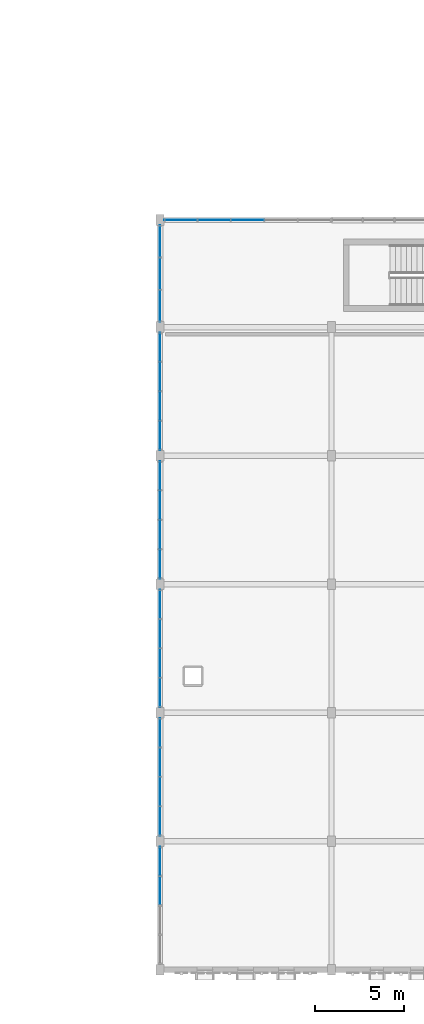
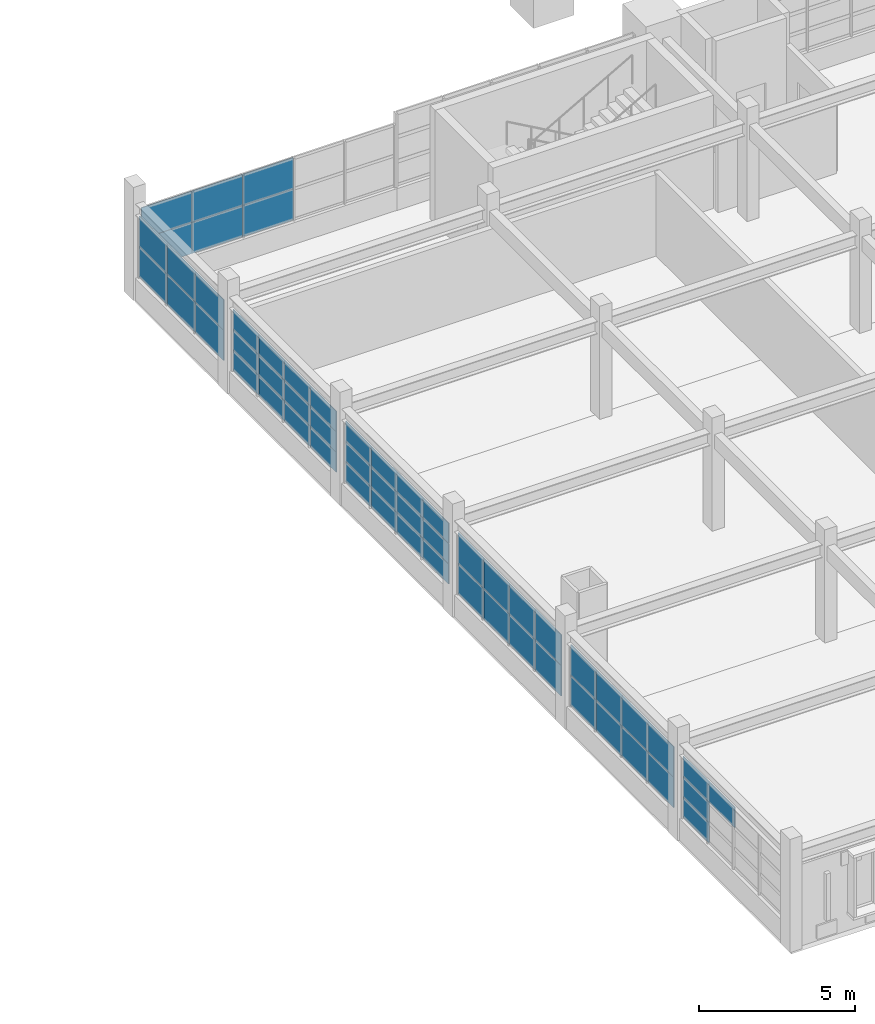
# One storey, part 35 of 69: 56 plates, 7 elements without a shape of their own.
"""IFC4 building model written with IfcOpenShell, lengths in metres."""

from ifc_helpers import new_model, si_unit, direction, frame, origin, origin_2d, place, context, subcontext, project, spatial, rectangle, extrude, material, layer, layer_set, type_object, element, aggregate, save


model = new_model("IFC4")

# Units and contexts
model_context = context("Model", 3, precision=1e-05, world=origin(), true_north=direction((0.0, 1.0)))
body_context = subcontext(model_context, "Body", "Model", "MODEL_VIEW")
ifc_project = project(units=[si_unit("LENGTHUNIT", "METRE"), si_unit("AREAUNIT", "SQUARE_METRE"), si_unit("VOLUMEUNIT", "CUBIC_METRE"), si_unit("PLANEANGLEUNIT", "RADIAN"), si_unit("MASSUNIT", "GRAM", prefix="KILO")], contexts=[model_context])

# Site, building, storey
site_placement = place(None, origin())
site = spatial("IfcSite", under=ifc_project, at=site_placement, CompositionType="ELEMENT")
building_placement = place(site_placement, origin())
building = spatial("IfcBuilding", under=site, at=building_placement, Name="Nzembalo Square Collegiate School", CompositionType="ELEMENT")
storey_placement = place(building_placement, frame((0.0, 0.0, 5.10009765625)))
storey = spatial("IfcBuildingStorey", under=building, at=storey_placement, Name="L01", CompositionType="ELEMENT", Elevation=5.10009765625)

# Curtain wall, plates
ifc_material_1 = material(Name="Aluminium 6060-T66", Category="aluminium")
curtain_wall_type_1 = type_object("IfcCurtainWallType", Name="CW-01", PredefinedType="USERDEFINED", material=ifc_material_1)
curtain_wall_1_placement = place(storey_placement, origin())
curtain_wall_1 = element("IfcCurtainWall", 1, at=curtain_wall_1_placement, inside=storey, type_object=curtain_wall_type_1, Name="Curtain wall CW-01 cw:L01:056", ObjectType="UNITISED", PredefinedType="USERDEFINED")
ifc_material_2 = material(Name="Laminated solar-control double glazing", Category="glass")
ifc_layer_1 = layer(ifc_material_2, 0.028076171875, Name="Laminated solar-control double glazing")
ifc_layer_set_1 = layer_set([ifc_layer_1], Name="Laminated solar-control double glazing")
plate_type_1 = type_object("IfcPlateType", Name="PN01", PredefinedType="CURTAIN_PANEL", material=ifc_layer_set_1)
plate_1_placement = place(storey_placement, frame((130.800048828125, 31.12646484375, 0.85400390625), z_axis=(0.0, 0.0, 1.0), x_axis=(0.0, 1.0, 0.0)))
plate_1 = element("IfcPlate", 2, at=plate_1_placement, type_object=plate_type_1, Name="PN01 glazed panel 1-1", PredefinedType="CURTAIN_PANEL", context=body_context, shape_type="SweptSolid", body=[
    extrude(rectangle(XDim=1.64111328125, YDim=0.028076171875, at=origin_2d()), origin(), (0.0, 0.0, 1.0), 0.7900390625),
])
plate_2_placement = place(storey_placement, frame((130.800048828125, 32.775390625, 0.85400390625), z_axis=(0.0, 0.0, 1.0), x_axis=(0.0, 1.0, 0.0)))
plate_2 = element("IfcPlate", 3, at=plate_2_placement, type_object=plate_type_1, Name="PN01 glazed panel 1-2", PredefinedType="CURTAIN_PANEL", context=body_context, shape_type="SweptSolid", body=[
    extrude(rectangle(XDim=1.64111328125, YDim=0.028076171875, at=origin_2d()), origin(), (0.0, 0.0, 1.0), 0.7900390625),
])
plate_3_placement = place(storey_placement, frame((130.800048828125, 34.424560546875, 0.85400390625), z_axis=(0.0, 0.0, 1.0), x_axis=(0.0, 1.0, 0.0)))
plate_3 = element("IfcPlate", 4, at=plate_3_placement, type_object=plate_type_1, Name="PN01 glazed panel 1-3", PredefinedType="CURTAIN_PANEL", context=body_context, shape_type="SweptSolid", body=[
    extrude(rectangle(XDim=1.64111328125, YDim=0.028076171875, at=origin_2d()), origin(), (0.0, 0.0, 1.0), 0.7900390625),
])
plate_4_placement = place(storey_placement, frame((130.800048828125, 36.073486328125, 0.85400390625), z_axis=(0.0, 0.0, 1.0), x_axis=(0.0, 1.0, 0.0)))
plate_4 = element("IfcPlate", 5, at=plate_4_placement, type_object=plate_type_1, Name="PN01 glazed panel 1-4", PredefinedType="CURTAIN_PANEL", context=body_context, shape_type="SweptSolid", body=[
    extrude(rectangle(XDim=1.64111328125, YDim=0.028076171875, at=origin_2d()), origin(), (0.0, 0.0, 1.0), 0.7900390625),
])
plate_5_placement = place(storey_placement, frame((130.800048828125, 31.12646484375, 1.65185546875), z_axis=(0.0, 0.0, 1.0), x_axis=(0.0, 1.0, 0.0)))
plate_5 = element("IfcPlate", 6, at=plate_5_placement, type_object=plate_type_1, Name="PN01 glazed panel 2-1", PredefinedType="CURTAIN_PANEL", context=body_context, shape_type="SweptSolid", body=[
    extrude(rectangle(XDim=1.64111328125, YDim=0.028076171875, at=origin_2d()), origin(), (0.0, 0.0, 1.0), 0.7900390625),
])
plate_6_placement = place(storey_placement, frame((130.800048828125, 32.775390625, 1.65185546875), z_axis=(0.0, 0.0, 1.0), x_axis=(0.0, 1.0, 0.0)))
plate_6 = element("IfcPlate", 7, at=plate_6_placement, type_object=plate_type_1, Name="PN01 glazed panel 2-2", PredefinedType="CURTAIN_PANEL", context=body_context, shape_type="SweptSolid", body=[
    extrude(rectangle(XDim=1.64111328125, YDim=0.028076171875, at=origin_2d()), origin(), (0.0, 0.0, 1.0), 0.7900390625),
])
plate_7_placement = place(storey_placement, frame((130.800048828125, 34.424560546875, 1.65185546875), z_axis=(0.0, 0.0, 1.0), x_axis=(0.0, 1.0, 0.0)))
plate_7 = element("IfcPlate", 8, at=plate_7_placement, type_object=plate_type_1, Name="PN01 glazed panel 2-3", PredefinedType="CURTAIN_PANEL", context=body_context, shape_type="SweptSolid", body=[
    extrude(rectangle(XDim=1.64111328125, YDim=0.028076171875, at=origin_2d()), origin(), (0.0, 0.0, 1.0), 0.7900390625),
])
plate_8_placement = place(storey_placement, frame((130.800048828125, 36.073486328125, 1.65185546875), z_axis=(0.0, 0.0, 1.0), x_axis=(0.0, 1.0, 0.0)))
plate_8 = element("IfcPlate", 9, at=plate_8_placement, type_object=plate_type_1, Name="PN01 glazed panel 2-4", PredefinedType="CURTAIN_PANEL", context=body_context, shape_type="SweptSolid", body=[
    extrude(rectangle(XDim=1.64111328125, YDim=0.028076171875, at=origin_2d()), origin(), (0.0, 0.0, 1.0), 0.7900390625),
])
plate_9_placement = place(storey_placement, frame((130.800048828125, 31.12646484375, 2.449951171875), z_axis=(0.0, 0.0, 1.0), x_axis=(0.0, 1.0, 0.0)))
plate_9 = element("IfcPlate", 10, at=plate_9_placement, type_object=plate_type_1, Name="PN01 glazed panel 3-1", PredefinedType="CURTAIN_PANEL", context=body_context, shape_type="SweptSolid", body=[
    extrude(rectangle(XDim=1.64111328125, YDim=0.028076171875, at=origin_2d()), origin(), (0.0, 0.0, 1.0), 0.7900390625),
])
plate_10_placement = place(storey_placement, frame((130.800048828125, 32.775390625, 2.449951171875), z_axis=(0.0, 0.0, 1.0), x_axis=(0.0, 1.0, 0.0)))
plate_10 = element("IfcPlate", 11, at=plate_10_placement, type_object=plate_type_1, Name="PN01 glazed panel 3-2", PredefinedType="CURTAIN_PANEL", context=body_context, shape_type="SweptSolid", body=[
    extrude(rectangle(XDim=1.64111328125, YDim=0.028076171875, at=origin_2d()), origin(), (0.0, 0.0, 1.0), 0.7900390625),
])
plate_11_placement = place(storey_placement, frame((130.800048828125, 34.424560546875, 2.449951171875), z_axis=(0.0, 0.0, 1.0), x_axis=(0.0, 1.0, 0.0)))
plate_11 = element("IfcPlate", 12, at=plate_11_placement, type_object=plate_type_1, Name="PN01 glazed panel 3-3", PredefinedType="CURTAIN_PANEL", context=body_context, shape_type="SweptSolid", body=[
    extrude(rectangle(XDim=1.64111328125, YDim=0.028076171875, at=origin_2d()), origin(), (0.0, 0.0, 1.0), 0.7900390625),
])
plate_12_placement = place(storey_placement, frame((130.800048828125, 36.073486328125, 2.449951171875), z_axis=(0.0, 0.0, 1.0), x_axis=(0.0, 1.0, 0.0)))
plate_12 = element("IfcPlate", 13, at=plate_12_placement, type_object=plate_type_1, Name="PN01 glazed panel 3-4", PredefinedType="CURTAIN_PANEL", context=body_context, shape_type="SweptSolid", body=[
    extrude(rectangle(XDim=1.64111328125, YDim=0.028076171875, at=origin_2d()), origin(), (0.0, 0.0, 1.0), 0.7900390625),
])
aggregate(curtain_wall_1, [plate_1, plate_2, plate_3, plate_4, plate_5, plate_6, plate_7, plate_8, plate_9, plate_10, plate_11, plate_12])

ifc_material_3 = material(Name="Aluminium 6060-T66", Category="aluminium")
curtain_wall_type_2 = type_object("IfcCurtainWallType", Name="CW-02", PredefinedType="USERDEFINED", material=ifc_material_3)
curtain_wall_2_placement = place(storey_placement, origin())
curtain_wall_2 = element("IfcCurtainWall", 14, at=curtain_wall_2_placement, inside=storey, type_object=curtain_wall_type_2, Name="Curtain wall CW-02 cw:L01:057", ObjectType="UNITISED", PredefinedType="USERDEFINED")
plate_13_placement = place(storey_placement, frame((130.800048828125, 38.326416015625, 0.85400390625), z_axis=(0.0, 0.0, 1.0), x_axis=(0.0, 1.0, 0.0)))
plate_13 = element("IfcPlate", 15, at=plate_13_placement, type_object=plate_type_1, Name="PN01 glazed panel 1-1", PredefinedType="CURTAIN_PANEL", context=body_context, shape_type="SweptSolid", body=[
    extrude(rectangle(XDim=1.64111328125, YDim=0.028076171875, at=origin_2d()), origin(), (0.0, 0.0, 1.0), 0.7900390625),
])
plate_14_placement = place(storey_placement, frame((130.800048828125, 39.9755859375, 0.85400390625), z_axis=(0.0, 0.0, 1.0), x_axis=(0.0, 1.0, 0.0)))
plate_14 = element("IfcPlate", 16, at=plate_14_placement, type_object=plate_type_1, Name="PN01 glazed panel 1-2", PredefinedType="CURTAIN_PANEL", context=body_context, shape_type="SweptSolid", body=[
    extrude(rectangle(XDim=1.64111328125, YDim=0.028076171875, at=origin_2d()), origin(), (0.0, 0.0, 1.0), 0.7900390625),
])
plate_15_placement = place(storey_placement, frame((130.800048828125, 41.62451171875, 0.85400390625), z_axis=(0.0, 0.0, 1.0), x_axis=(0.0, 1.0, 0.0)))
plate_15 = element("IfcPlate", 17, at=plate_15_placement, type_object=plate_type_1, Name="PN01 glazed panel 1-3", PredefinedType="CURTAIN_PANEL", context=body_context, shape_type="SweptSolid", body=[
    extrude(rectangle(XDim=1.64111328125, YDim=0.028076171875, at=origin_2d()), origin(), (0.0, 0.0, 1.0), 0.7900390625),
])
plate_16_placement = place(storey_placement, frame((130.800048828125, 43.2734375, 0.85400390625), z_axis=(0.0, 0.0, 1.0), x_axis=(0.0, 1.0, 0.0)))
plate_16 = element("IfcPlate", 18, at=plate_16_placement, type_object=plate_type_1, Name="PN01 glazed panel 1-4", PredefinedType="CURTAIN_PANEL", context=body_context, shape_type="SweptSolid", body=[
    extrude(rectangle(XDim=1.64111328125, YDim=0.028076171875, at=origin_2d()), origin(), (0.0, 0.0, 1.0), 0.7900390625),
])
plate_17_placement = place(storey_placement, frame((130.800048828125, 38.326416015625, 1.65185546875), z_axis=(0.0, 0.0, 1.0), x_axis=(0.0, 1.0, 0.0)))
plate_17 = element("IfcPlate", 19, at=plate_17_placement, type_object=plate_type_1, Name="PN01 glazed panel 2-1", PredefinedType="CURTAIN_PANEL", context=body_context, shape_type="SweptSolid", body=[
    extrude(rectangle(XDim=1.64111328125, YDim=0.028076171875, at=origin_2d()), origin(), (0.0, 0.0, 1.0), 0.7900390625),
])
plate_18_placement = place(storey_placement, frame((130.800048828125, 39.9755859375, 1.65185546875), z_axis=(0.0, 0.0, 1.0), x_axis=(0.0, 1.0, 0.0)))
plate_18 = element("IfcPlate", 20, at=plate_18_placement, type_object=plate_type_1, Name="PN01 glazed panel 2-2", PredefinedType="CURTAIN_PANEL", context=body_context, shape_type="SweptSolid", body=[
    extrude(rectangle(XDim=1.64111328125, YDim=0.028076171875, at=origin_2d()), origin(), (0.0, 0.0, 1.0), 0.7900390625),
])
plate_19_placement = place(storey_placement, frame((130.800048828125, 41.62451171875, 1.65185546875), z_axis=(0.0, 0.0, 1.0), x_axis=(0.0, 1.0, 0.0)))
plate_19 = element("IfcPlate", 21, at=plate_19_placement, type_object=plate_type_1, Name="PN01 glazed panel 2-3", PredefinedType="CURTAIN_PANEL", context=body_context, shape_type="SweptSolid", body=[
    extrude(rectangle(XDim=1.64111328125, YDim=0.028076171875, at=origin_2d()), origin(), (0.0, 0.0, 1.0), 0.7900390625),
])
plate_20_placement = place(storey_placement, frame((130.800048828125, 43.2734375, 1.65185546875), z_axis=(0.0, 0.0, 1.0), x_axis=(0.0, 1.0, 0.0)))
plate_20 = element("IfcPlate", 22, at=plate_20_placement, type_object=plate_type_1, Name="PN01 glazed panel 2-4", PredefinedType="CURTAIN_PANEL", context=body_context, shape_type="SweptSolid", body=[
    extrude(rectangle(XDim=1.64111328125, YDim=0.028076171875, at=origin_2d()), origin(), (0.0, 0.0, 1.0), 0.7900390625),
])
plate_21_placement = place(storey_placement, frame((130.800048828125, 38.326416015625, 2.449951171875), z_axis=(0.0, 0.0, 1.0), x_axis=(0.0, 1.0, 0.0)))
plate_21 = element("IfcPlate", 23, at=plate_21_placement, type_object=plate_type_1, Name="PN01 glazed panel 3-1", PredefinedType="CURTAIN_PANEL", context=body_context, shape_type="SweptSolid", body=[
    extrude(rectangle(XDim=1.64111328125, YDim=0.028076171875, at=origin_2d()), origin(), (0.0, 0.0, 1.0), 0.7900390625),
])
plate_22_placement = place(storey_placement, frame((130.800048828125, 39.9755859375, 2.449951171875), z_axis=(0.0, 0.0, 1.0), x_axis=(0.0, 1.0, 0.0)))
plate_22 = element("IfcPlate", 24, at=plate_22_placement, type_object=plate_type_1, Name="PN01 glazed panel 3-2", PredefinedType="CURTAIN_PANEL", context=body_context, shape_type="SweptSolid", body=[
    extrude(rectangle(XDim=1.64111328125, YDim=0.028076171875, at=origin_2d()), origin(), (0.0, 0.0, 1.0), 0.7900390625),
])
plate_23_placement = place(storey_placement, frame((130.800048828125, 41.62451171875, 2.449951171875), z_axis=(0.0, 0.0, 1.0), x_axis=(0.0, 1.0, 0.0)))
plate_23 = element("IfcPlate", 25, at=plate_23_placement, type_object=plate_type_1, Name="PN01 glazed panel 3-3", PredefinedType="CURTAIN_PANEL", context=body_context, shape_type="SweptSolid", body=[
    extrude(rectangle(XDim=1.64111328125, YDim=0.028076171875, at=origin_2d()), origin(), (0.0, 0.0, 1.0), 0.7900390625),
])
plate_24_placement = place(storey_placement, frame((130.800048828125, 43.2734375, 2.449951171875), z_axis=(0.0, 0.0, 1.0), x_axis=(0.0, 1.0, 0.0)))
plate_24 = element("IfcPlate", 26, at=plate_24_placement, type_object=plate_type_1, Name="PN01 glazed panel 3-4", PredefinedType="CURTAIN_PANEL", context=body_context, shape_type="SweptSolid", body=[
    extrude(rectangle(XDim=1.64111328125, YDim=0.028076171875, at=origin_2d()), origin(), (0.0, 0.0, 1.0), 0.7900390625),
])
aggregate(curtain_wall_2, [plate_13, plate_14, plate_15, plate_16, plate_17, plate_18, plate_19, plate_20, plate_21, plate_22, plate_23, plate_24])

ifc_material_4 = material(Name="Aluminium 6060-T66", Category="aluminium")
curtain_wall_type_3 = type_object("IfcCurtainWallType", Name="CW-06", PredefinedType="USERDEFINED", material=ifc_material_4)
curtain_wall_3_placement = place(storey_placement, origin())
curtain_wall_3 = element("IfcCurtainWall", 27, at=curtain_wall_3_placement, inside=storey, type_object=curtain_wall_type_3, Name="Curtain wall CW-06 cw:L01:053", ObjectType="LANCET", PredefinedType="USERDEFINED")
ifc_material_5 = material(Name="Acoustic laminated solar-control glazing", Category="glass")
ifc_layer_2 = layer(ifc_material_5, 0.031982421875, Name="Acoustic laminated solar-control glazing")
ifc_layer_set_2 = layer_set([ifc_layer_2], Name="Acoustic laminated solar-control glazing")
plate_type_2 = type_object("IfcPlateType", Name="PN02", PredefinedType="CURTAIN_PANEL", material=ifc_layer_set_2)
plate_25_placement = place(storey_placement, frame((130.800048828125, 14.473388671875, 0.85400390625), z_axis=(0.0, 0.0, 1.0), x_axis=(0.0, 1.0, 0.0)))
plate_25 = element("IfcPlate", 28, at=plate_25_placement, type_object=plate_type_2, Name="PN02 glazed panel 1-4", PredefinedType="CURTAIN_PANEL", context=body_context, shape_type="SweptSolid", body=[
    extrude(rectangle(XDim=1.64111328125, YDim=0.031982421875, at=origin_2d()), origin(), (0.0, 0.0, 1.0), 0.7900390625),
])
plate_26_placement = place(storey_placement, frame((130.800048828125, 14.473388671875, 1.65185546875), z_axis=(0.0, 0.0, 1.0), x_axis=(0.0, 1.0, 0.0)))
plate_26 = element("IfcPlate", 29, at=plate_26_placement, type_object=plate_type_2, Name="PN02 glazed panel 2-4", PredefinedType="CURTAIN_PANEL", context=body_context, shape_type="SweptSolid", body=[
    extrude(rectangle(XDim=1.64111328125, YDim=0.031982421875, at=origin_2d()), origin(), (0.0, 0.0, 1.0), 0.7900390625),
])
plate_27_placement = place(storey_placement, frame((130.800048828125, 12.824462890625, 2.449951171875), z_axis=(0.0, 0.0, 1.0), x_axis=(0.0, 1.0, 0.0)))
plate_27 = element("IfcPlate", 30, at=plate_27_placement, type_object=plate_type_2, Name="PN02 glazed panel 3-3", PredefinedType="CURTAIN_PANEL", context=body_context, shape_type="SweptSolid", body=[
    extrude(rectangle(XDim=1.64111328125, YDim=0.031982421875, at=origin_2d()), origin(), (0.0, 0.0, 1.0), 0.7900390625),
])
plate_28_placement = place(storey_placement, frame((130.800048828125, 14.473388671875, 2.449951171875), z_axis=(0.0, 0.0, 1.0), x_axis=(0.0, 1.0, 0.0)))
plate_28 = element("IfcPlate", 31, at=plate_28_placement, type_object=plate_type_2, Name="PN02 glazed panel 3-4", PredefinedType="CURTAIN_PANEL", context=body_context, shape_type="SweptSolid", body=[
    extrude(rectangle(XDim=1.64111328125, YDim=0.031982421875, at=origin_2d()), origin(), (0.0, 0.0, 1.0), 0.7900390625),
])
aggregate(curtain_wall_3, [plate_25, plate_26, plate_27, plate_28])

ifc_material_6 = material(Name="Aluminium 6060-T66", Category="aluminium")
curtain_wall_type_4 = type_object("IfcCurtainWallType", Name="CW-07", PredefinedType="USERDEFINED", material=ifc_material_6)
curtain_wall_4_placement = place(storey_placement, origin())
curtain_wall_4 = element("IfcCurtainWall", 32, at=curtain_wall_4_placement, inside=storey, type_object=curtain_wall_type_4, Name="Curtain wall CW-07 cw:L01:054", ObjectType="LANCET", PredefinedType="USERDEFINED")
plate_29_placement = place(storey_placement, frame((130.800048828125, 16.7265625, 0.85400390625), z_axis=(0.0, 0.0, 1.0), x_axis=(0.0, 1.0, 0.0)))
plate_29 = element("IfcPlate", 33, at=plate_29_placement, type_object=plate_type_2, Name="PN02 glazed panel 1-1", PredefinedType="CURTAIN_PANEL", context=body_context, shape_type="SweptSolid", body=[
    extrude(rectangle(XDim=1.64111328125, YDim=0.031982421875, at=origin_2d()), origin(), (0.0, 0.0, 1.0), 1.18896484375),
])
plate_30_placement = place(storey_placement, frame((130.800048828125, 18.37548828125, 0.85400390625), z_axis=(0.0, 0.0, 1.0), x_axis=(0.0, 1.0, 0.0)))
plate_30 = element("IfcPlate", 34, at=plate_30_placement, type_object=plate_type_2, Name="PN02 glazed panel 1-2", PredefinedType="CURTAIN_PANEL", context=body_context, shape_type="SweptSolid", body=[
    extrude(rectangle(XDim=1.64111328125, YDim=0.031982421875, at=origin_2d()), origin(), (0.0, 0.0, 1.0), 1.18896484375),
])
plate_31_placement = place(storey_placement, frame((130.800048828125, 20.0244140625, 0.85400390625), z_axis=(0.0, 0.0, 1.0), x_axis=(0.0, 1.0, 0.0)))
plate_31 = element("IfcPlate", 35, at=plate_31_placement, type_object=plate_type_2, Name="PN02 glazed panel 1-3", PredefinedType="CURTAIN_PANEL", context=body_context, shape_type="SweptSolid", body=[
    extrude(rectangle(XDim=1.64111328125, YDim=0.031982421875, at=origin_2d()), origin(), (0.0, 0.0, 1.0), 1.18896484375),
])
plate_32_placement = place(storey_placement, frame((130.800048828125, 21.673583984375, 0.85400390625), z_axis=(0.0, 0.0, 1.0), x_axis=(0.0, 1.0, 0.0)))
plate_32 = element("IfcPlate", 36, at=plate_32_placement, type_object=plate_type_2, Name="PN02 glazed panel 1-4", PredefinedType="CURTAIN_PANEL", context=body_context, shape_type="SweptSolid", body=[
    extrude(rectangle(XDim=1.64111328125, YDim=0.031982421875, at=origin_2d()), origin(), (0.0, 0.0, 1.0), 1.18896484375),
])
plate_33_placement = place(storey_placement, frame((130.800048828125, 16.7265625, 2.051025390625), z_axis=(0.0, 0.0, 1.0), x_axis=(0.0, 1.0, 0.0)))
plate_33 = element("IfcPlate", 37, at=plate_33_placement, type_object=plate_type_2, Name="PN02 glazed panel 2-1", PredefinedType="CURTAIN_PANEL", context=body_context, shape_type="SweptSolid", body=[
    extrude(rectangle(XDim=1.64111328125, YDim=0.031982421875, at=origin_2d()), origin(), (0.0, 0.0, 1.0), 1.18896484375),
])
plate_34_placement = place(storey_placement, frame((130.800048828125, 18.37548828125, 2.051025390625), z_axis=(0.0, 0.0, 1.0), x_axis=(0.0, 1.0, 0.0)))
plate_34 = element("IfcPlate", 38, at=plate_34_placement, type_object=plate_type_2, Name="PN02 glazed panel 2-2", PredefinedType="CURTAIN_PANEL", context=body_context, shape_type="SweptSolid", body=[
    extrude(rectangle(XDim=1.64111328125, YDim=0.031982421875, at=origin_2d()), origin(), (0.0, 0.0, 1.0), 1.18896484375),
])
plate_35_placement = place(storey_placement, frame((130.800048828125, 20.0244140625, 2.051025390625), z_axis=(0.0, 0.0, 1.0), x_axis=(0.0, 1.0, 0.0)))
plate_35 = element("IfcPlate", 39, at=plate_35_placement, type_object=plate_type_2, Name="PN02 glazed panel 2-3", PredefinedType="CURTAIN_PANEL", context=body_context, shape_type="SweptSolid", body=[
    extrude(rectangle(XDim=1.64111328125, YDim=0.031982421875, at=origin_2d()), origin(), (0.0, 0.0, 1.0), 1.18896484375),
])
plate_36_placement = place(storey_placement, frame((130.800048828125, 21.673583984375, 2.051025390625), z_axis=(0.0, 0.0, 1.0), x_axis=(0.0, 1.0, 0.0)))
plate_36 = element("IfcPlate", 40, at=plate_36_placement, type_object=plate_type_2, Name="PN02 glazed panel 2-4", PredefinedType="CURTAIN_PANEL", context=body_context, shape_type="SweptSolid", body=[
    extrude(rectangle(XDim=1.64111328125, YDim=0.031982421875, at=origin_2d()), origin(), (0.0, 0.0, 1.0), 1.18896484375),
])
aggregate(curtain_wall_4, [plate_29, plate_30, plate_31, plate_32, plate_33, plate_34, plate_35, plate_36])

ifc_material_7 = material(Name="Aluminium 6060-T66", Category="aluminium")
curtain_wall_type_5 = type_object("IfcCurtainWallType", Name="CW-08", PredefinedType="USERDEFINED", material=ifc_material_7)
curtain_wall_5_placement = place(storey_placement, origin())
curtain_wall_5 = element("IfcCurtainWall", 41, at=curtain_wall_5_placement, inside=storey, type_object=curtain_wall_type_5, Name="Curtain wall CW-08 cw:L01:055", ObjectType="LANCET", PredefinedType="USERDEFINED")
plate_37_placement = place(storey_placement, frame((130.800048828125, 23.926513671875, 0.85400390625), z_axis=(0.0, 0.0, 1.0), x_axis=(0.0, 1.0, 0.0)))
plate_37 = element("IfcPlate", 42, at=plate_37_placement, type_object=plate_type_2, Name="PN02 glazed panel 1-1", PredefinedType="CURTAIN_PANEL", context=body_context, shape_type="SweptSolid", body=[
    extrude(rectangle(XDim=1.64111328125, YDim=0.031982421875, at=origin_2d()), origin(), (0.0, 0.0, 1.0), 1.18896484375),
])
plate_38_placement = place(storey_placement, frame((130.800048828125, 25.575439453125, 0.85400390625), z_axis=(0.0, 0.0, 1.0), x_axis=(0.0, 1.0, 0.0)))
plate_38 = element("IfcPlate", 43, at=plate_38_placement, type_object=plate_type_2, Name="PN02 glazed panel 1-2", PredefinedType="CURTAIN_PANEL", context=body_context, shape_type="SweptSolid", body=[
    extrude(rectangle(XDim=1.64111328125, YDim=0.031982421875, at=origin_2d()), origin(), (0.0, 0.0, 1.0), 1.18896484375),
])
plate_39_placement = place(storey_placement, frame((130.800048828125, 27.224609375, 0.85400390625), z_axis=(0.0, 0.0, 1.0), x_axis=(0.0, 1.0, 0.0)))
plate_39 = element("IfcPlate", 44, at=plate_39_placement, type_object=plate_type_2, Name="PN02 glazed panel 1-3", PredefinedType="CURTAIN_PANEL", context=body_context, shape_type="SweptSolid", body=[
    extrude(rectangle(XDim=1.64111328125, YDim=0.031982421875, at=origin_2d()), origin(), (0.0, 0.0, 1.0), 1.18896484375),
])
plate_40_placement = place(storey_placement, frame((130.800048828125, 28.87353515625, 0.85400390625), z_axis=(0.0, 0.0, 1.0), x_axis=(0.0, 1.0, 0.0)))
plate_40 = element("IfcPlate", 45, at=plate_40_placement, type_object=plate_type_2, Name="PN02 glazed panel 1-4", PredefinedType="CURTAIN_PANEL", context=body_context, shape_type="SweptSolid", body=[
    extrude(rectangle(XDim=1.64111328125, YDim=0.031982421875, at=origin_2d()), origin(), (0.0, 0.0, 1.0), 1.18896484375),
])
plate_41_placement = place(storey_placement, frame((130.800048828125, 23.926513671875, 2.051025390625), z_axis=(0.0, 0.0, 1.0), x_axis=(0.0, 1.0, 0.0)))
plate_41 = element("IfcPlate", 46, at=plate_41_placement, type_object=plate_type_2, Name="PN02 glazed panel 2-1", PredefinedType="CURTAIN_PANEL", context=body_context, shape_type="SweptSolid", body=[
    extrude(rectangle(XDim=1.64111328125, YDim=0.031982421875, at=origin_2d()), origin(), (0.0, 0.0, 1.0), 1.18896484375),
])
plate_42_placement = place(storey_placement, frame((130.800048828125, 25.575439453125, 2.051025390625), z_axis=(0.0, 0.0, 1.0), x_axis=(0.0, 1.0, 0.0)))
plate_42 = element("IfcPlate", 47, at=plate_42_placement, type_object=plate_type_2, Name="PN02 glazed panel 2-2", PredefinedType="CURTAIN_PANEL", context=body_context, shape_type="SweptSolid", body=[
    extrude(rectangle(XDim=1.64111328125, YDim=0.031982421875, at=origin_2d()), origin(), (0.0, 0.0, 1.0), 1.18896484375),
])
plate_43_placement = place(storey_placement, frame((130.800048828125, 27.224609375, 2.051025390625), z_axis=(0.0, 0.0, 1.0), x_axis=(0.0, 1.0, 0.0)))
plate_43 = element("IfcPlate", 48, at=plate_43_placement, type_object=plate_type_2, Name="PN02 glazed panel 2-3", PredefinedType="CURTAIN_PANEL", context=body_context, shape_type="SweptSolid", body=[
    extrude(rectangle(XDim=1.64111328125, YDim=0.031982421875, at=origin_2d()), origin(), (0.0, 0.0, 1.0), 1.18896484375),
])
plate_44_placement = place(storey_placement, frame((130.800048828125, 28.87353515625, 2.051025390625), z_axis=(0.0, 0.0, 1.0), x_axis=(0.0, 1.0, 0.0)))
plate_44 = element("IfcPlate", 49, at=plate_44_placement, type_object=plate_type_2, Name="PN02 glazed panel 2-4", PredefinedType="CURTAIN_PANEL", context=body_context, shape_type="SweptSolid", body=[
    extrude(rectangle(XDim=1.64111328125, YDim=0.031982421875, at=origin_2d()), origin(), (0.0, 0.0, 1.0), 1.18896484375),
])
aggregate(curtain_wall_5, [plate_37, plate_38, plate_39, plate_40, plate_41, plate_42, plate_43, plate_44])

ifc_material_8 = material(Name="Aluminium 6060-T66", Category="aluminium")
curtain_wall_type_6 = type_object("IfcCurtainWallType", Name="CW-15", PredefinedType="USERDEFINED", material=ifc_material_8)
curtain_wall_6_placement = place(storey_placement, origin())
curtain_wall_6 = element("IfcCurtainWall", 50, at=curtain_wall_6_placement, inside=storey, type_object=curtain_wall_type_6, Name="Curtain wall CW-15 cw:L01:058", ObjectType="LANCET", PredefinedType="USERDEFINED")
plate_45_placement = place(storey_placement, frame((130.800048828125, 45.601318359375, 0.85400390625), z_axis=(0.0, 0.0, 1.0), x_axis=(0.0, 1.0, 0.0)))
plate_45 = element("IfcPlate", 51, at=plate_45_placement, type_object=plate_type_2, Name="PN02 glazed panel 1-1", PredefinedType="CURTAIN_PANEL", context=body_context, shape_type="SweptSolid", body=[
    extrude(rectangle(XDim=1.790771484375, YDim=0.031982421875, at=origin_2d()), origin(), (0.0, 0.0, 1.0), 1.18896484375),
])
plate_46_placement = place(storey_placement, frame((130.800048828125, 47.39990234375, 0.85400390625), z_axis=(0.0, 0.0, 1.0), x_axis=(0.0, 1.0, 0.0)))
plate_46 = element("IfcPlate", 52, at=plate_46_placement, type_object=plate_type_2, Name="PN02 glazed panel 1-2", PredefinedType="CURTAIN_PANEL", context=body_context, shape_type="SweptSolid", body=[
    extrude(rectangle(XDim=1.790771484375, YDim=0.031982421875, at=origin_2d()), origin(), (0.0, 0.0, 1.0), 1.18896484375),
])
plate_47_placement = place(storey_placement, frame((130.800048828125, 49.19873046875, 0.85400390625), z_axis=(0.0, 0.0, 1.0), x_axis=(0.0, 1.0, 0.0)))
plate_47 = element("IfcPlate", 53, at=plate_47_placement, type_object=plate_type_2, Name="PN02 glazed panel 1-3", PredefinedType="CURTAIN_PANEL", context=body_context, shape_type="SweptSolid", body=[
    extrude(rectangle(XDim=1.790771484375, YDim=0.031982421875, at=origin_2d()), origin(), (0.0, 0.0, 1.0), 1.18896484375),
])
plate_48_placement = place(storey_placement, frame((130.800048828125, 45.601318359375, 2.051025390625), z_axis=(0.0, 0.0, 1.0), x_axis=(0.0, 1.0, 0.0)))
plate_48 = element("IfcPlate", 54, at=plate_48_placement, type_object=plate_type_2, Name="PN02 glazed panel 2-1", PredefinedType="CURTAIN_PANEL", context=body_context, shape_type="SweptSolid", body=[
    extrude(rectangle(XDim=1.790771484375, YDim=0.031982421875, at=origin_2d()), origin(), (0.0, 0.0, 1.0), 1.18896484375),
])
plate_49_placement = place(storey_placement, frame((130.800048828125, 47.39990234375, 2.051025390625), z_axis=(0.0, 0.0, 1.0), x_axis=(0.0, 1.0, 0.0)))
plate_49 = element("IfcPlate", 55, at=plate_49_placement, type_object=plate_type_2, Name="PN02 glazed panel 2-2", PredefinedType="CURTAIN_PANEL", context=body_context, shape_type="SweptSolid", body=[
    extrude(rectangle(XDim=1.790771484375, YDim=0.031982421875, at=origin_2d()), origin(), (0.0, 0.0, 1.0), 1.18896484375),
])
plate_50_placement = place(storey_placement, frame((130.800048828125, 49.19873046875, 2.051025390625), z_axis=(0.0, 0.0, 1.0), x_axis=(0.0, 1.0, 0.0)))
plate_50 = element("IfcPlate", 56, at=plate_50_placement, type_object=plate_type_2, Name="PN02 glazed panel 2-3", PredefinedType="CURTAIN_PANEL", context=body_context, shape_type="SweptSolid", body=[
    extrude(rectangle(XDim=1.790771484375, YDim=0.031982421875, at=origin_2d()), origin(), (0.0, 0.0, 1.0), 1.18896484375),
])
aggregate(curtain_wall_6, [plate_45, plate_46, plate_47, plate_48, plate_49, plate_50])

ifc_material_9 = material(Name="Aluminium 6060-T66", Category="aluminium")
curtain_wall_type_7 = type_object("IfcCurtainWallType", Name="CW-12", PredefinedType="USERDEFINED", material=ifc_material_9)
curtain_wall_7_placement = place(storey_placement, origin())
curtain_wall_7 = element("IfcCurtainWall", 57, at=curtain_wall_7_placement, inside=storey, type_object=curtain_wall_type_7, Name="Curtain wall CW-12 cw:L01:059", ObjectType="LANCET", PredefinedType="USERDEFINED")
plate_51_placement = place(storey_placement, frame((131.96435546875, 50.39990234375, 0.85400390625), z_axis=(0.0, 0.0, 1.0), x_axis=(1.0, 0.0, 0.0)))
plate_51 = element("IfcPlate", 58, at=plate_51_placement, type_object=plate_type_2, Name="PN02 glazed panel 1-1", PredefinedType="CURTAIN_PANEL", context=body_context, shape_type="SweptSolid", body=[
    extrude(rectangle(XDim=1.86669921875, YDim=0.031982421875, at=origin_2d()), origin(), (0.0, 0.0, 1.0), 1.214111328125),
])
plate_52_placement = place(storey_placement, frame((133.8388671875, 50.39990234375, 0.85400390625), z_axis=(0.0, 0.0, 1.0), x_axis=(1.0, 0.0, 0.0)))
plate_52 = element("IfcPlate", 59, at=plate_52_placement, type_object=plate_type_2, Name="PN02 glazed panel 1-2", PredefinedType="CURTAIN_PANEL", context=body_context, shape_type="SweptSolid", body=[
    extrude(rectangle(XDim=1.86669921875, YDim=0.031982421875, at=origin_2d()), origin(), (0.0, 0.0, 1.0), 1.214111328125),
])
plate_53_placement = place(storey_placement, frame((135.71337890625, 50.39990234375, 0.85400390625), z_axis=(0.0, 0.0, 1.0), x_axis=(1.0, 0.0, 0.0)))
plate_53 = element("IfcPlate", 60, at=plate_53_placement, type_object=plate_type_2, Name="PN02 glazed panel 1-3", PredefinedType="CURTAIN_PANEL", context=body_context, shape_type="SweptSolid", body=[
    extrude(rectangle(XDim=1.86669921875, YDim=0.031982421875, at=origin_2d()), origin(), (0.0, 0.0, 1.0), 1.214111328125),
])
plate_54_placement = place(storey_placement, frame((131.96435546875, 50.39990234375, 2.07568359375), z_axis=(0.0, 0.0, 1.0), x_axis=(1.0, 0.0, 0.0)))
plate_54 = element("IfcPlate", 61, at=plate_54_placement, type_object=plate_type_2, Name="PN02 glazed panel 2-1", PredefinedType="CURTAIN_PANEL", context=body_context, shape_type="SweptSolid", body=[
    extrude(rectangle(XDim=1.86669921875, YDim=0.031982421875, at=origin_2d()), origin(), (0.0, 0.0, 1.0), 1.214111328125),
])
plate_55_placement = place(storey_placement, frame((133.8388671875, 50.39990234375, 2.07568359375), z_axis=(0.0, 0.0, 1.0), x_axis=(1.0, 0.0, 0.0)))
plate_55 = element("IfcPlate", 62, at=plate_55_placement, type_object=plate_type_2, Name="PN02 glazed panel 2-2", PredefinedType="CURTAIN_PANEL", context=body_context, shape_type="SweptSolid", body=[
    extrude(rectangle(XDim=1.86669921875, YDim=0.031982421875, at=origin_2d()), origin(), (0.0, 0.0, 1.0), 1.214111328125),
])
plate_56_placement = place(storey_placement, frame((135.71337890625, 50.39990234375, 2.07568359375), z_axis=(0.0, 0.0, 1.0), x_axis=(1.0, 0.0, 0.0)))
plate_56 = element("IfcPlate", 63, at=plate_56_placement, type_object=plate_type_2, Name="PN02 glazed panel 2-3", PredefinedType="CURTAIN_PANEL", context=body_context, shape_type="SweptSolid", body=[
    extrude(rectangle(XDim=1.86669921875, YDim=0.031982421875, at=origin_2d()), origin(), (0.0, 0.0, 1.0), 1.214111328125),
])
aggregate(curtain_wall_7, [plate_51, plate_52, plate_53, plate_54, plate_55, plate_56])

save(model, "model.ifc")
